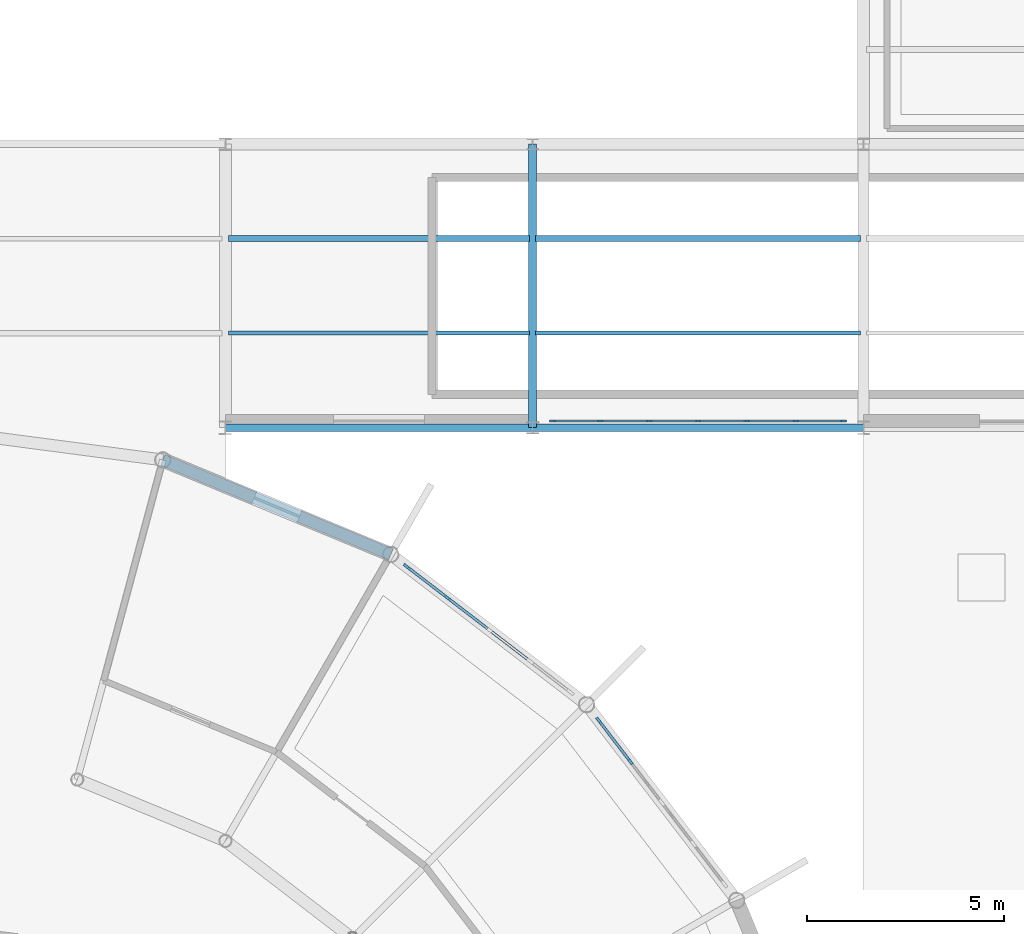
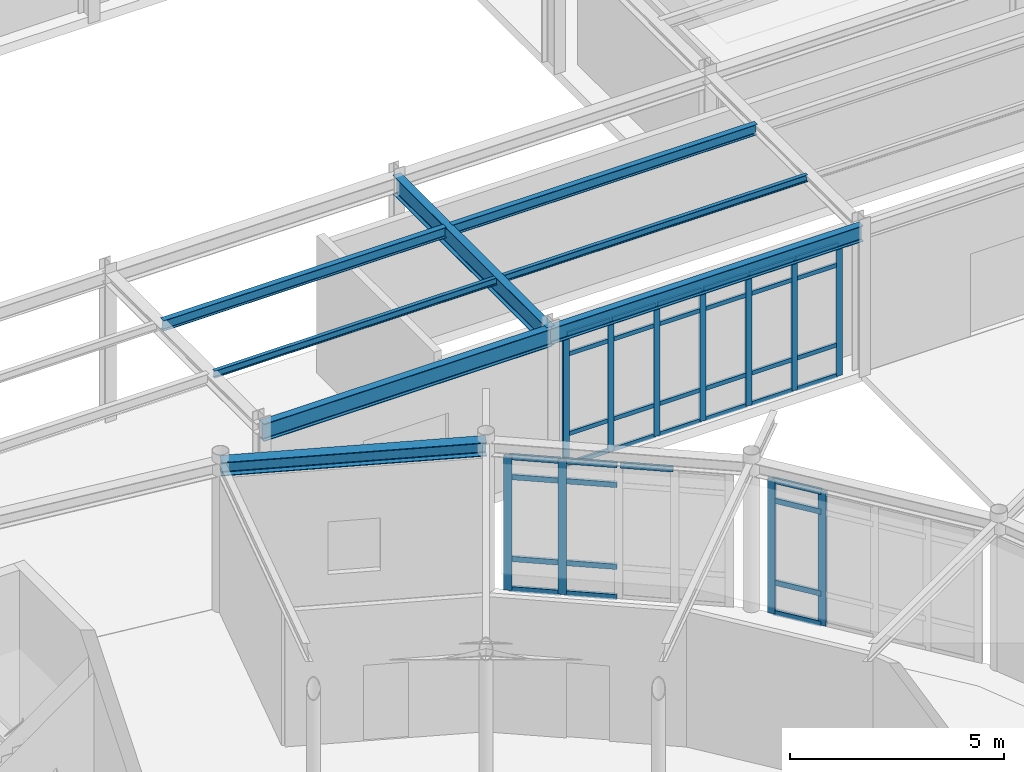
# One storey, part 47 of 101: 48 members, 8 beams, 3 elements without a shape of their own.
"""IFC4 building model written with IfcOpenShell, lengths in metres."""

from ifc_helpers import new_model, si_unit, derived_unit, direction, frame, origin, origin_2d, place, context, subcontext, project, spatial, rectangle, i_section, extrude, material, layer, layer_set, material_profile, profile_set, type_object, element, aggregate, save


model = new_model("IFC4")

# Units and contexts
model_context = context("Model", 3, precision=1e-05, world=origin(), true_north=direction((0.0, 1.0)))
body_context = subcontext(model_context, "Body", "Model", "MODEL_VIEW")
ifc_project = project(units=[si_unit("LENGTHUNIT", "METRE"), si_unit("AREAUNIT", "SQUARE_METRE"), si_unit("VOLUMEUNIT", "CUBIC_METRE"), si_unit("PLANEANGLEUNIT", "RADIAN"), si_unit("MASSUNIT", "GRAM", prefix="KILO"), derived_unit("THERMALTRANSMITTANCEUNIT", [(si_unit("POWERUNIT", "WATT"), 1), (si_unit("AREAUNIT", "SQUARE_METRE"), -1), (si_unit("THERMODYNAMICTEMPERATUREUNIT", "KELVIN"), -1)])], contexts=[model_context])

# Site, building, storey
site_placement = place(None, origin())
site = spatial("IfcSite", under=ifc_project, at=site_placement, CompositionType="ELEMENT")
building_placement = place(site_placement, origin())
building = spatial("IfcBuilding", under=site, at=building_placement, Name="Yasenodar Specialist Clinic", CompositionType="ELEMENT")
storey_placement = place(building_placement, origin())
storey = spatial("IfcBuildingStorey", under=building, at=storey_placement, Name="L00", CompositionType="ELEMENT", Elevation=0.0)

# Beams
ifc_material_1 = material(Name="Steel S355", Category="steel")
ifc_material_profile_1 = material_profile(ifc_material_1, i_section(OverallWidth=0.300048828125, OverallDepth=0.389892578125, WebThickness=0.010986328125, FlangeThickness=0.01904296875, FilletRadius=0.027099609375, at=origin_2d()), Name="HEA 400")
ifc_profile_set_1 = profile_set([ifc_material_profile_1], Name="Steel S355")
beam_type_1 = type_object("IfcBeamType", Name="BM-HEA400", PredefinedType="BEAM", material=ifc_profile_set_1)
beam_1_placement = place(storey_placement, frame((93.0, 79.584716796875, 4.054931640625), z_axis=(-0.9238876519, 0.382663829839, 0.0), x_axis=(-0.382663829839, -0.9238876519, 0.0)))
element("IfcBeam", 1, at=beam_1_placement, inside=storey, type_object=beam_type_1, Name="L00 Drum V1 Perimeter Ring Beam", PredefinedType="BEAM", context=body_context, shape_type="SweptSolid", body=[
    extrude(i_section(OverallWidth=0.300048828125, OverallDepth=0.389892578125, WebThickness=0.010986328125, FlangeThickness=0.01904296875, FilletRadius=0.027099609375, at=origin_2d()), origin(), (0.0, 0.0, 1.0), 6.26513671875),
])
ifc_material_profile_2 = material_profile(ifc_material_1, i_section(OverallWidth=0.18994140625, OverallDepth=0.449951171875, WebThickness=0.009521484375, FlangeThickness=0.0146484375, FilletRadius=0.02099609375, at=origin_2d()), Name="IPE 450")
ifc_profile_set_2 = profile_set([ifc_material_profile_2], Name="Steel S355")
beam_type_2 = type_object("IfcBeamType", Name="BM-IPE450", PredefinedType="BEAM", material=ifc_profile_set_2)
beam_2_placement = place(storey_placement, frame((96.60009765625, 82.800048828125, 4.02490234375), z_axis=(1.0, 0.0, 0.0), x_axis=(0.0, 1.0, 0.0)))
element("IfcBeam", 2, at=beam_2_placement, inside=storey, type_object=beam_type_2, Name="L00 Primary E-W Girder", PredefinedType="BEAM", context=body_context, shape_type="SweptSolid", body=[
    extrude(i_section(OverallWidth=0.18994140625, OverallDepth=0.449951171875, WebThickness=0.009521484375, FlangeThickness=0.0146484375, FilletRadius=0.02099609375, at=origin_2d()), origin(), (0.0, 0.0, 1.0), 8.39990234375),
])
ifc_material_profile_3 = material_profile(ifc_material_1, i_section(OverallWidth=0.199951171875, OverallDepth=0.5, WebThickness=0.01025390625, FlangeThickness=0.01611328125, FilletRadius=0.02099609375, at=origin_2d()), Name="IPE 500")
ifc_profile_set_3 = profile_set([ifc_material_profile_3], Name="Steel S355")
beam_type_3 = type_object("IfcBeamType", Name="BM-IPE500", PredefinedType="BEAM", material=ifc_profile_set_3)
beam_3_placement = place(storey_placement, frame((88.800048828125, 82.800048828125, 4.0), z_axis=(1.0, 0.0, 0.0), x_axis=(0.0, 1.0, 0.0)))
element("IfcBeam", 3, at=beam_3_placement, inside=storey, type_object=beam_type_3, Name="L00 Primary E-W Girder", PredefinedType="BEAM", context=body_context, shape_type="SweptSolid", body=[
    extrude(i_section(OverallWidth=0.199951171875, OverallDepth=0.5, WebThickness=0.01025390625, FlangeThickness=0.01611328125, FilletRadius=0.02099609375, at=origin_2d()), origin(), (0.0, 0.0, 1.0), 7.800048828125),
])
ifc_material_profile_4 = material_profile(ifc_material_1, i_section(OverallWidth=0.2099609375, OverallDepth=0.550048828125, WebThickness=0.010986328125, FlangeThickness=0.01708984375, FilletRadius=0.02392578125, at=origin_2d()), Name="IPE 550")
ifc_profile_set_4 = profile_set([ifc_material_profile_4], Name="Steel S355")
beam_type_4 = type_object("IfcBeamType", Name="BM-IPE550", PredefinedType="BEAM", material=ifc_profile_set_4)
beam_4_placement = place(storey_placement, frame((96.60009765625, 82.800048828125, 3.97509765625), z_axis=(0.0, 1.0, 0.0), x_axis=(-1.0, 0.0, 0.0)))
element("IfcBeam", 4, at=beam_4_placement, inside=storey, type_object=beam_type_4, Name="L00 Primary N-S Girder", PredefinedType="BEAM", context=body_context, shape_type="SweptSolid", body=[
    extrude(i_section(OverallWidth=0.2099609375, OverallDepth=0.550048828125, WebThickness=0.010986328125, FlangeThickness=0.01708984375, FilletRadius=0.02392578125, at=origin_2d()), origin(), (0.0, 0.0, 1.0), 7.199951171875),
])

# Curtain wall, members
ifc_material_2 = material(Name="Bronze Anodized Aluminium and Triple Low-E Glass", Category="aluminium")
ifc_layer_1 = layer(ifc_material_2, 0.215087890625)
ifc_layer_set_1 = layer_set([ifc_layer_1], Name="Bronze Anodized Aluminium and Triple Low-E Glass")
curtain_wall_type_1 = type_object("IfcCurtainWallType", Name="CW-SYS-05", PredefinedType="USERDEFINED", material=ifc_layer_set_1)
curtain_wall_1_placement = place(storey_placement, origin())
curtain_wall_1 = element("IfcCurtainWall", 5, at=curtain_wall_1_placement, inside=storey, type_object=curtain_wall_type_1, Name="L00 Unitised Curtain Wall 147", ObjectType="UNITISED CURTAIN WALL", PredefinedType="USERDEFINED")
ifc_material_3 = material(Name="Bronze Anodized Aluminium", Category="aluminium")
ifc_material_profile_5 = material_profile(ifc_material_3, rectangle(XDim=0.06005859375, YDim=0.159912109375, at=origin_2d()), Name="CW-MULL 60x160")
ifc_profile_set_5 = profile_set([ifc_material_profile_5], Name="Bronze Anodized Aluminium")
member_type_1 = type_object("IfcMemberType", Name="CW-MULL-160", PredefinedType="MULLION", material=ifc_profile_set_5)
member_1_placement = place(storey_placement, frame((104.489990234375, 82.969970703125, 0.0), z_axis=(0.0, 0.0, 1.0), x_axis=(0.0, -1.0, 0.0)))
member_1 = element("IfcMember", 6, at=member_1_placement, type_object=member_type_1, Name="CW-05 mullion 1", PredefinedType="MULLION", context=body_context, shape_type="SweptSolid", body=[
    extrude(rectangle(XDim=0.06005859375, YDim=0.159912109375, at=origin_2d()), origin(), (0.0, 0.0, 1.0), 3.778076171875),
])
member_2_placement = place(storey_placement, frame((103.280029296875, 82.969970703125, 0.0), z_axis=(0.0, 0.0, 1.0), x_axis=(0.0, -1.0, 0.0)))
member_2 = element("IfcMember", 7, at=member_2_placement, type_object=member_type_1, Name="CW-05 mullion 2", PredefinedType="MULLION", context=body_context, shape_type="SweptSolid", body=[
    extrude(rectangle(XDim=0.06005859375, YDim=0.159912109375, at=origin_2d()), origin(), (0.0, 0.0, 1.0), 3.778076171875),
])
member_3_placement = place(storey_placement, frame((102.0400390625, 82.969970703125, 0.0), z_axis=(0.0, 0.0, 1.0), x_axis=(0.0, -1.0, 0.0)))
member_3 = element("IfcMember", 8, at=member_3_placement, type_object=member_type_1, Name="CW-05 mullion 3", PredefinedType="MULLION", context=body_context, shape_type="SweptSolid", body=[
    extrude(rectangle(XDim=0.06005859375, YDim=0.159912109375, at=origin_2d()), origin(), (0.0, 0.0, 1.0), 3.778076171875),
])
member_4_placement = place(storey_placement, frame((100.800048828125, 82.969970703125, 0.0), z_axis=(0.0, 0.0, 1.0), x_axis=(0.0, -1.0, 0.0)))
member_4 = element("IfcMember", 9, at=member_4_placement, type_object=member_type_1, Name="CW-05 mullion 4", PredefinedType="MULLION", context=body_context, shape_type="SweptSolid", body=[
    extrude(rectangle(XDim=0.06005859375, YDim=0.159912109375, at=origin_2d()), origin(), (0.0, 0.0, 1.0), 3.778076171875),
])
member_5_placement = place(storey_placement, frame((99.56005859375, 82.969970703125, 0.0), z_axis=(0.0, 0.0, 1.0), x_axis=(0.0, -1.0, 0.0)))
member_5 = element("IfcMember", 10, at=member_5_placement, type_object=member_type_1, Name="CW-05 mullion 5", PredefinedType="MULLION", context=body_context, shape_type="SweptSolid", body=[
    extrude(rectangle(XDim=0.06005859375, YDim=0.159912109375, at=origin_2d()), origin(), (0.0, 0.0, 1.0), 3.778076171875),
])
member_6_placement = place(storey_placement, frame((98.320068359375, 82.969970703125, 0.0), z_axis=(0.0, 0.0, 1.0), x_axis=(0.0, -1.0, 0.0)))
member_6 = element("IfcMember", 11, at=member_6_placement, type_object=member_type_1, Name="CW-05 mullion 6", PredefinedType="MULLION", context=body_context, shape_type="SweptSolid", body=[
    extrude(rectangle(XDim=0.06005859375, YDim=0.159912109375, at=origin_2d()), origin(), (0.0, 0.0, 1.0), 3.778076171875),
])
member_7_placement = place(storey_placement, frame((97.110107421875, 82.969970703125, 0.0), z_axis=(0.0, 0.0, 1.0), x_axis=(0.0, -1.0, 0.0)))
member_7 = element("IfcMember", 12, at=member_7_placement, type_object=member_type_1, Name="CW-05 mullion 7", PredefinedType="MULLION", context=body_context, shape_type="SweptSolid", body=[
    extrude(rectangle(XDim=0.06005859375, YDim=0.159912109375, at=origin_2d()), origin(), (0.0, 0.0, 1.0), 3.778076171875),
])

ifc_layer_2 = layer(ifc_material_2, 0.1669921875)
ifc_layer_set_2 = layer_set([ifc_layer_2], Name="Bronze Anodized Aluminium and Triple Low-E Glass")
curtain_wall_type_2 = type_object("IfcCurtainWallType", Name="CW-SYS-01", PredefinedType="USERDEFINED", material=ifc_layer_set_2)
curtain_wall_2_placement = place(storey_placement, origin())
curtain_wall_2 = element("IfcCurtainWall", 13, at=curtain_wall_2_placement, inside=storey, type_object=curtain_wall_type_2, Name="L00 Unitised Curtain Wall 002", ObjectType="UNITISED CURTAIN WALL", PredefinedType="USERDEFINED")
ifc_material_profile_6 = material_profile(ifc_material_3, rectangle(XDim=0.070068359375, YDim=0.199951171875, at=origin_2d()), Name="CW-MULL 70x200")
ifc_profile_set_6 = profile_set([ifc_material_profile_6], Name="Bronze Anodized Aluminium")
member_type_2 = type_object("IfcMemberType", Name="CW-MULL-200", PredefinedType="MULLION", material=ifc_profile_set_6)
member_8_placement = place(storey_placement, frame((98.2841796875, 75.362060546875, 0.0), z_axis=(0.0, 0.0, 1.0), x_axis=(0.793360558574, 0.608752021844, 0.0)))
member_8 = element("IfcMember", 14, at=member_8_placement, type_object=member_type_2, Name="CW-01 mullion 1", PredefinedType="MULLION", context=body_context, shape_type="SweptSolid", body=[
    extrude(rectangle(XDim=0.070068359375, YDim=0.199951171875, at=origin_2d()), origin(), (0.0, 0.0, 1.0), 3.837890625),
])
member_9_placement = place(storey_placement, frame((99.0703125, 74.337646484375, 0.0), z_axis=(0.0, 0.0, 1.0), x_axis=(0.793360558574, 0.608752021844, 0.0)))
member_9 = element("IfcMember", 15, at=member_9_placement, type_object=member_type_2, Name="CW-01 mullion 2", PredefinedType="MULLION", context=body_context, shape_type="SweptSolid", body=[
    extrude(rectangle(XDim=0.070068359375, YDim=0.199951171875, at=origin_2d()), origin(), (0.0, 0.0, 1.0), 3.837890625),
])

curtain_wall_3_placement = place(storey_placement, origin())
curtain_wall_3 = element("IfcCurtainWall", 16, at=curtain_wall_3_placement, inside=storey, type_object=curtain_wall_type_2, Name="L00 Unitised Curtain Wall 003", ObjectType="UNITISED CURTAIN WALL", PredefinedType="USERDEFINED")
member_10_placement = place(storey_placement, frame((93.408447265625, 79.27099609375, 0.0), z_axis=(0.0, 0.0, 1.0), x_axis=(0.608752021844, 0.793360558574, 0.0)))
member_10 = element("IfcMember", 17, at=member_10_placement, type_object=member_type_2, Name="CW-01 mullion 1", PredefinedType="MULLION", context=body_context, shape_type="SweptSolid", body=[
    extrude(rectangle(XDim=0.070068359375, YDim=0.199951171875, at=origin_2d()), origin(), (0.0, 0.0, 1.0), 3.837890625),
])
member_11_placement = place(storey_placement, frame((94.43310546875, 78.485107421875, 0.0), z_axis=(0.0, 0.0, 1.0), x_axis=(0.608752021844, 0.793360558574, 0.0)))
member_11 = element("IfcMember", 18, at=member_11_placement, type_object=member_type_2, Name="CW-01 mullion 2", PredefinedType="MULLION", context=body_context, shape_type="SweptSolid", body=[
    extrude(rectangle(XDim=0.070068359375, YDim=0.199951171875, at=origin_2d()), origin(), (0.0, 0.0, 1.0), 3.837890625),
])

# Member
ifc_material_profile_7 = material_profile(ifc_material_3, rectangle(XDim=0.06005859375, YDim=0.1201171875, at=origin_2d()), Name="CW-TRAN 60x120")
ifc_profile_set_7 = profile_set([ifc_material_profile_7], Name="Bronze Anodized Aluminium")
member_type_3 = type_object("IfcMemberType", Name="CW-TRAN-120", PredefinedType="USERDEFINED", material=ifc_profile_set_7)
member_12_placement = place(storey_placement, frame((104.4599609375, 82.969970703125, 0.030029296875), z_axis=(-1.0, 0.0, 0.0), x_axis=(0.0, -1.0, 0.0)))
member_12 = element("IfcMember", 19, at=member_12_placement, type_object=member_type_3, Name="CW-05 transom 1.1", ObjectType="TRANSOM", PredefinedType="USERDEFINED", context=body_context, shape_type="SweptSolid", body=[
    extrude(rectangle(XDim=0.06005859375, YDim=0.1201171875, at=origin_2d()), origin(), (0.0, 0.0, 1.0), 1.14990234375),
])

member_13_placement = place(storey_placement, frame((104.4599609375, 82.969970703125, 0.89990234375), z_axis=(-1.0, 0.0, 0.0), x_axis=(0.0, -1.0, 0.0)))
member_13 = element("IfcMember", 20, at=member_13_placement, type_object=member_type_3, Name="CW-05 transom 1.2", ObjectType="TRANSOM", PredefinedType="USERDEFINED", context=body_context, shape_type="SweptSolid", body=[
    extrude(rectangle(XDim=0.06005859375, YDim=0.1201171875, at=origin_2d()), origin(), (0.0, 0.0, 1.0), 1.14990234375),
])

member_14_placement = place(storey_placement, frame((104.4599609375, 82.969970703125, 3.177978515625), z_axis=(-1.0, 0.0, 0.0), x_axis=(0.0, -1.0, 0.0)))
member_14 = element("IfcMember", 21, at=member_14_placement, type_object=member_type_3, Name="CW-05 transom 1.3", ObjectType="TRANSOM", PredefinedType="USERDEFINED", context=body_context, shape_type="SweptSolid", body=[
    extrude(rectangle(XDim=0.06005859375, YDim=0.1201171875, at=origin_2d()), origin(), (0.0, 0.0, 1.0), 1.14990234375),
])

member_15_placement = place(storey_placement, frame((104.4599609375, 82.969970703125, 3.748046875), z_axis=(-1.0, 0.0, 0.0), x_axis=(0.0, -1.0, 0.0)))
member_15 = element("IfcMember", 22, at=member_15_placement, type_object=member_type_3, Name="CW-05 transom 1.4", ObjectType="TRANSOM", PredefinedType="USERDEFINED", context=body_context, shape_type="SweptSolid", body=[
    extrude(rectangle(XDim=0.06005859375, YDim=0.1201171875, at=origin_2d()), origin(), (0.0, 0.0, 1.0), 1.14990234375),
])

member_16_placement = place(storey_placement, frame((103.25, 82.969970703125, 0.030029296875), z_axis=(-1.0, 0.0, 0.0), x_axis=(0.0, -1.0, 0.0)))
member_16 = element("IfcMember", 23, at=member_16_placement, type_object=member_type_3, Name="CW-05 transom 2.1", ObjectType="TRANSOM", PredefinedType="USERDEFINED", context=body_context, shape_type="SweptSolid", body=[
    extrude(rectangle(XDim=0.06005859375, YDim=0.1201171875, at=origin_2d()), origin(), (0.0, 0.0, 1.0), 1.179931640625),
])

member_17_placement = place(storey_placement, frame((103.25, 82.969970703125, 0.89990234375), z_axis=(-1.0, 0.0, 0.0), x_axis=(0.0, -1.0, 0.0)))
member_17 = element("IfcMember", 24, at=member_17_placement, type_object=member_type_3, Name="CW-05 transom 2.2", ObjectType="TRANSOM", PredefinedType="USERDEFINED", context=body_context, shape_type="SweptSolid", body=[
    extrude(rectangle(XDim=0.06005859375, YDim=0.1201171875, at=origin_2d()), origin(), (0.0, 0.0, 1.0), 1.179931640625),
])

member_18_placement = place(storey_placement, frame((103.25, 82.969970703125, 3.177978515625), z_axis=(-1.0, 0.0, 0.0), x_axis=(0.0, -1.0, 0.0)))
member_18 = element("IfcMember", 25, at=member_18_placement, type_object=member_type_3, Name="CW-05 transom 2.3", ObjectType="TRANSOM", PredefinedType="USERDEFINED", context=body_context, shape_type="SweptSolid", body=[
    extrude(rectangle(XDim=0.06005859375, YDim=0.1201171875, at=origin_2d()), origin(), (0.0, 0.0, 1.0), 1.179931640625),
])

member_19_placement = place(storey_placement, frame((103.25, 82.969970703125, 3.748046875), z_axis=(-1.0, 0.0, 0.0), x_axis=(0.0, -1.0, 0.0)))
member_19 = element("IfcMember", 26, at=member_19_placement, type_object=member_type_3, Name="CW-05 transom 2.4", ObjectType="TRANSOM", PredefinedType="USERDEFINED", context=body_context, shape_type="SweptSolid", body=[
    extrude(rectangle(XDim=0.06005859375, YDim=0.1201171875, at=origin_2d()), origin(), (0.0, 0.0, 1.0), 1.179931640625),
])

member_20_placement = place(storey_placement, frame((102.010009765625, 82.969970703125, 0.030029296875), z_axis=(-1.0, 0.0, 0.0), x_axis=(0.0, -1.0, 0.0)))
member_20 = element("IfcMember", 27, at=member_20_placement, type_object=member_type_3, Name="CW-05 transom 3.1", ObjectType="TRANSOM", PredefinedType="USERDEFINED", context=body_context, shape_type="SweptSolid", body=[
    extrude(rectangle(XDim=0.06005859375, YDim=0.1201171875, at=origin_2d()), origin(), (0.0, 0.0, 1.0), 1.179931640625),
])

member_21_placement = place(storey_placement, frame((102.010009765625, 82.969970703125, 0.89990234375), z_axis=(-1.0, 0.0, 0.0), x_axis=(0.0, -1.0, 0.0)))
member_21 = element("IfcMember", 28, at=member_21_placement, type_object=member_type_3, Name="CW-05 transom 3.2", ObjectType="TRANSOM", PredefinedType="USERDEFINED", context=body_context, shape_type="SweptSolid", body=[
    extrude(rectangle(XDim=0.06005859375, YDim=0.1201171875, at=origin_2d()), origin(), (0.0, 0.0, 1.0), 1.179931640625),
])

member_22_placement = place(storey_placement, frame((102.010009765625, 82.969970703125, 3.177978515625), z_axis=(-1.0, 0.0, 0.0), x_axis=(0.0, -1.0, 0.0)))
member_22 = element("IfcMember", 29, at=member_22_placement, type_object=member_type_3, Name="CW-05 transom 3.3", ObjectType="TRANSOM", PredefinedType="USERDEFINED", context=body_context, shape_type="SweptSolid", body=[
    extrude(rectangle(XDim=0.06005859375, YDim=0.1201171875, at=origin_2d()), origin(), (0.0, 0.0, 1.0), 1.179931640625),
])

member_23_placement = place(storey_placement, frame((102.010009765625, 82.969970703125, 3.748046875), z_axis=(-1.0, 0.0, 0.0), x_axis=(0.0, -1.0, 0.0)))
member_23 = element("IfcMember", 30, at=member_23_placement, type_object=member_type_3, Name="CW-05 transom 3.4", ObjectType="TRANSOM", PredefinedType="USERDEFINED", context=body_context, shape_type="SweptSolid", body=[
    extrude(rectangle(XDim=0.06005859375, YDim=0.1201171875, at=origin_2d()), origin(), (0.0, 0.0, 1.0), 1.179931640625),
])

member_24_placement = place(storey_placement, frame((100.77001953125, 82.969970703125, 0.030029296875), z_axis=(-1.0, 0.0, 0.0), x_axis=(0.0, -1.0, 0.0)))
member_24 = element("IfcMember", 31, at=member_24_placement, type_object=member_type_3, Name="CW-05 transom 4.1", ObjectType="TRANSOM", PredefinedType="USERDEFINED", context=body_context, shape_type="SweptSolid", body=[
    extrude(rectangle(XDim=0.06005859375, YDim=0.1201171875, at=origin_2d()), origin(), (0.0, 0.0, 1.0), 1.179931640625),
])

member_25_placement = place(storey_placement, frame((100.77001953125, 82.969970703125, 0.89990234375), z_axis=(-1.0, 0.0, 0.0), x_axis=(0.0, -1.0, 0.0)))
member_25 = element("IfcMember", 32, at=member_25_placement, type_object=member_type_3, Name="CW-05 transom 4.2", ObjectType="TRANSOM", PredefinedType="USERDEFINED", context=body_context, shape_type="SweptSolid", body=[
    extrude(rectangle(XDim=0.06005859375, YDim=0.1201171875, at=origin_2d()), origin(), (0.0, 0.0, 1.0), 1.179931640625),
])

member_26_placement = place(storey_placement, frame((100.77001953125, 82.969970703125, 3.177978515625), z_axis=(-1.0, 0.0, 0.0), x_axis=(0.0, -1.0, 0.0)))
member_26 = element("IfcMember", 33, at=member_26_placement, type_object=member_type_3, Name="CW-05 transom 4.3", ObjectType="TRANSOM", PredefinedType="USERDEFINED", context=body_context, shape_type="SweptSolid", body=[
    extrude(rectangle(XDim=0.06005859375, YDim=0.1201171875, at=origin_2d()), origin(), (0.0, 0.0, 1.0), 1.179931640625),
])

member_27_placement = place(storey_placement, frame((100.77001953125, 82.969970703125, 3.748046875), z_axis=(-1.0, 0.0, 0.0), x_axis=(0.0, -1.0, 0.0)))
member_27 = element("IfcMember", 34, at=member_27_placement, type_object=member_type_3, Name="CW-05 transom 4.4", ObjectType="TRANSOM", PredefinedType="USERDEFINED", context=body_context, shape_type="SweptSolid", body=[
    extrude(rectangle(XDim=0.06005859375, YDim=0.1201171875, at=origin_2d()), origin(), (0.0, 0.0, 1.0), 1.179931640625),
])

member_28_placement = place(storey_placement, frame((99.530029296875, 82.969970703125, 0.030029296875), z_axis=(-1.0, 0.0, 0.0), x_axis=(0.0, -1.0, 0.0)))
member_28 = element("IfcMember", 35, at=member_28_placement, type_object=member_type_3, Name="CW-05 transom 5.1", ObjectType="TRANSOM", PredefinedType="USERDEFINED", context=body_context, shape_type="SweptSolid", body=[
    extrude(rectangle(XDim=0.06005859375, YDim=0.1201171875, at=origin_2d()), origin(), (0.0, 0.0, 1.0), 1.179931640625),
])

member_29_placement = place(storey_placement, frame((99.530029296875, 82.969970703125, 0.89990234375), z_axis=(-1.0, 0.0, 0.0), x_axis=(0.0, -1.0, 0.0)))
member_29 = element("IfcMember", 36, at=member_29_placement, type_object=member_type_3, Name="CW-05 transom 5.2", ObjectType="TRANSOM", PredefinedType="USERDEFINED", context=body_context, shape_type="SweptSolid", body=[
    extrude(rectangle(XDim=0.06005859375, YDim=0.1201171875, at=origin_2d()), origin(), (0.0, 0.0, 1.0), 1.179931640625),
])

member_30_placement = place(storey_placement, frame((99.530029296875, 82.969970703125, 3.177978515625), z_axis=(-1.0, 0.0, 0.0), x_axis=(0.0, -1.0, 0.0)))
member_30 = element("IfcMember", 37, at=member_30_placement, type_object=member_type_3, Name="CW-05 transom 5.3", ObjectType="TRANSOM", PredefinedType="USERDEFINED", context=body_context, shape_type="SweptSolid", body=[
    extrude(rectangle(XDim=0.06005859375, YDim=0.1201171875, at=origin_2d()), origin(), (0.0, 0.0, 1.0), 1.179931640625),
])

member_31_placement = place(storey_placement, frame((99.530029296875, 82.969970703125, 3.748046875), z_axis=(-1.0, 0.0, 0.0), x_axis=(0.0, -1.0, 0.0)))
member_31 = element("IfcMember", 38, at=member_31_placement, type_object=member_type_3, Name="CW-05 transom 5.4", ObjectType="TRANSOM", PredefinedType="USERDEFINED", context=body_context, shape_type="SweptSolid", body=[
    extrude(rectangle(XDim=0.06005859375, YDim=0.1201171875, at=origin_2d()), origin(), (0.0, 0.0, 1.0), 1.179931640625),
])

member_32_placement = place(storey_placement, frame((98.2900390625, 82.969970703125, 0.030029296875), z_axis=(-1.0, 0.0, 0.0), x_axis=(0.0, -1.0, 0.0)))
member_32 = element("IfcMember", 39, at=member_32_placement, type_object=member_type_3, Name="CW-05 transom 6.1", ObjectType="TRANSOM", PredefinedType="USERDEFINED", context=body_context, shape_type="SweptSolid", body=[
    extrude(rectangle(XDim=0.06005859375, YDim=0.1201171875, at=origin_2d()), origin(), (0.0, 0.0, 1.0), 1.150146484375),
])

member_33_placement = place(storey_placement, frame((98.2900390625, 82.969970703125, 0.89990234375), z_axis=(-1.0, 0.0, 0.0), x_axis=(0.0, -1.0, 0.0)))
member_33 = element("IfcMember", 40, at=member_33_placement, type_object=member_type_3, Name="CW-05 transom 6.2", ObjectType="TRANSOM", PredefinedType="USERDEFINED", context=body_context, shape_type="SweptSolid", body=[
    extrude(rectangle(XDim=0.06005859375, YDim=0.1201171875, at=origin_2d()), origin(), (0.0, 0.0, 1.0), 1.150146484375),
])

member_34_placement = place(storey_placement, frame((98.2900390625, 82.969970703125, 3.177978515625), z_axis=(-1.0, 0.0, 0.0), x_axis=(0.0, -1.0, 0.0)))
member_34 = element("IfcMember", 41, at=member_34_placement, type_object=member_type_3, Name="CW-05 transom 6.3", ObjectType="TRANSOM", PredefinedType="USERDEFINED", context=body_context, shape_type="SweptSolid", body=[
    extrude(rectangle(XDim=0.06005859375, YDim=0.1201171875, at=origin_2d()), origin(), (0.0, 0.0, 1.0), 1.150146484375),
])

member_35_placement = place(storey_placement, frame((98.2900390625, 82.969970703125, 3.748046875), z_axis=(-1.0, 0.0, 0.0), x_axis=(0.0, -1.0, 0.0)))
member_35 = element("IfcMember", 42, at=member_35_placement, type_object=member_type_3, Name="CW-05 transom 6.4", ObjectType="TRANSOM", PredefinedType="USERDEFINED", context=body_context, shape_type="SweptSolid", body=[
    extrude(rectangle(XDim=0.06005859375, YDim=0.1201171875, at=origin_2d()), origin(), (0.0, 0.0, 1.0), 1.150146484375),
])

aggregate(curtain_wall_1, [member_1, member_2, member_3, member_4, member_5, member_6, member_7, member_12, member_13, member_14, member_15, member_16, member_17, member_18, member_19, member_20, member_21, member_22, member_23, member_24, member_25, member_26, member_27, member_28, member_29, member_30, member_31, member_32, member_33, member_34, member_35])

ifc_material_profile_8 = material_profile(ifc_material_3, rectangle(XDim=0.070068359375, YDim=0.14990234375, at=origin_2d()), Name="CW-TRAN 70x150")
ifc_profile_set_8 = profile_set([ifc_material_profile_8], Name="Bronze Anodized Aluminium")
member_type_4 = type_object("IfcMemberType", Name="CW-TRAN-150", PredefinedType="USERDEFINED", material=ifc_profile_set_8)
member_36_placement = place(storey_placement, frame((98.305419921875, 75.334228515625, 0.034912109375), z_axis=(0.608695898449, -0.793403619358, 0.0), x_axis=(0.793403619358, 0.608695898449, 0.0)))
member_36 = element("IfcMember", 43, at=member_36_placement, type_object=member_type_4, Name="CW-01 transom 1.1", ObjectType="TRANSOM", PredefinedType="USERDEFINED", context=body_context, shape_type="SweptSolid", body=[
    extrude(rectangle(XDim=0.070068359375, YDim=0.14990234375, at=origin_2d()), origin(), (0.0, 0.0, 1.0), 1.22119140625),
])

member_37_placement = place(storey_placement, frame((98.305419921875, 75.334228515625, 0.89990234375), z_axis=(0.608695898449, -0.793403619358, 0.0), x_axis=(0.793403619358, 0.608695898449, 0.0)))
member_37 = element("IfcMember", 44, at=member_37_placement, type_object=member_type_4, Name="CW-01 transom 1.2", ObjectType="TRANSOM", PredefinedType="USERDEFINED", context=body_context, shape_type="SweptSolid", body=[
    extrude(rectangle(XDim=0.070068359375, YDim=0.14990234375, at=origin_2d()), origin(), (0.0, 0.0, 1.0), 1.22119140625),
])

member_38_placement = place(storey_placement, frame((98.305419921875, 75.334228515625, 3.238037109375), z_axis=(0.608695898449, -0.793403619358, 0.0), x_axis=(0.793403619358, 0.608695898449, 0.0)))
member_38 = element("IfcMember", 45, at=member_38_placement, type_object=member_type_4, Name="CW-01 transom 1.3", ObjectType="TRANSOM", PredefinedType="USERDEFINED", context=body_context, shape_type="SweptSolid", body=[
    extrude(rectangle(XDim=0.070068359375, YDim=0.14990234375, at=origin_2d()), origin(), (0.0, 0.0, 1.0), 1.22119140625),
])

member_39_placement = place(storey_placement, frame((98.305419921875, 75.334228515625, 3.802978515625), z_axis=(0.608695898449, -0.793403619358, 0.0), x_axis=(0.793403619358, 0.608695898449, 0.0)))
member_39 = element("IfcMember", 46, at=member_39_placement, type_object=member_type_4, Name="CW-01 transom 1.4", ObjectType="TRANSOM", PredefinedType="USERDEFINED", context=body_context, shape_type="SweptSolid", body=[
    extrude(rectangle(XDim=0.070068359375, YDim=0.14990234375, at=origin_2d()), origin(), (0.0, 0.0, 1.0), 1.22119140625),
])

aggregate(curtain_wall_2, [member_8, member_9, member_36, member_37, member_38, member_39])

member_40_placement = place(storey_placement, frame((93.436279296875, 79.249755859375, 0.034912109375), z_axis=(0.793403619358, -0.608695898449, 0.0), x_axis=(0.608695898449, 0.793403619358, 0.0)))
member_40 = element("IfcMember", 47, at=member_40_placement, type_object=member_type_4, Name="CW-01 transom 1.1", ObjectType="TRANSOM", PredefinedType="USERDEFINED", context=body_context, shape_type="SweptSolid", body=[
    extrude(rectangle(XDim=0.070068359375, YDim=0.14990234375, at=origin_2d()), origin(), (0.0, 0.0, 1.0), 1.22119140625),
])

member_41_placement = place(storey_placement, frame((93.436279296875, 79.249755859375, 0.89990234375), z_axis=(0.793403619358, -0.608695898449, 0.0), x_axis=(0.608695898449, 0.793403619358, 0.0)))
member_41 = element("IfcMember", 48, at=member_41_placement, type_object=member_type_4, Name="CW-01 transom 1.2", ObjectType="TRANSOM", PredefinedType="USERDEFINED", context=body_context, shape_type="SweptSolid", body=[
    extrude(rectangle(XDim=0.070068359375, YDim=0.14990234375, at=origin_2d()), origin(), (0.0, 0.0, 1.0), 1.22119140625),
])

member_42_placement = place(storey_placement, frame((93.436279296875, 79.249755859375, 3.238037109375), z_axis=(0.793403619358, -0.608695898449, 0.0), x_axis=(0.608695898449, 0.793403619358, 0.0)))
member_42 = element("IfcMember", 49, at=member_42_placement, type_object=member_type_4, Name="CW-01 transom 1.3", ObjectType="TRANSOM", PredefinedType="USERDEFINED", context=body_context, shape_type="SweptSolid", body=[
    extrude(rectangle(XDim=0.070068359375, YDim=0.14990234375, at=origin_2d()), origin(), (0.0, 0.0, 1.0), 1.22119140625),
])

member_43_placement = place(storey_placement, frame((93.436279296875, 79.249755859375, 3.802978515625), z_axis=(0.793403619358, -0.608695898449, 0.0), x_axis=(0.608695898449, 0.793403619358, 0.0)))
member_43 = element("IfcMember", 50, at=member_43_placement, type_object=member_type_4, Name="CW-01 transom 1.4", ObjectType="TRANSOM", PredefinedType="USERDEFINED", context=body_context, shape_type="SweptSolid", body=[
    extrude(rectangle(XDim=0.070068359375, YDim=0.14990234375, at=origin_2d()), origin(), (0.0, 0.0, 1.0), 1.22119140625),
])

member_44_placement = place(storey_placement, frame((94.4609375, 78.463623046875, 0.034912109375), z_axis=(0.793374813585, -0.608733443446, 0.0), x_axis=(0.608733443446, 0.793374813585, 0.0)))
member_44 = element("IfcMember", 51, at=member_44_placement, type_object=member_type_4, Name="CW-01 transom 2.1", ObjectType="TRANSOM", PredefinedType="USERDEFINED", context=body_context, shape_type="SweptSolid", body=[
    extrude(rectangle(XDim=0.070068359375, YDim=0.14990234375, at=origin_2d()), origin(), (0.0, 0.0, 1.0), 1.256103515625),
])

member_45_placement = place(storey_placement, frame((94.4609375, 78.463623046875, 0.89990234375), z_axis=(0.793374813585, -0.608733443446, 0.0), x_axis=(0.608733443446, 0.793374813585, 0.0)))
member_45 = element("IfcMember", 52, at=member_45_placement, type_object=member_type_4, Name="CW-01 transom 2.2", ObjectType="TRANSOM", PredefinedType="USERDEFINED", context=body_context, shape_type="SweptSolid", body=[
    extrude(rectangle(XDim=0.070068359375, YDim=0.14990234375, at=origin_2d()), origin(), (0.0, 0.0, 1.0), 1.256103515625),
])

member_46_placement = place(storey_placement, frame((94.4609375, 78.463623046875, 3.238037109375), z_axis=(0.793374813585, -0.608733443446, 0.0), x_axis=(0.608733443446, 0.793374813585, 0.0)))
member_46 = element("IfcMember", 53, at=member_46_placement, type_object=member_type_4, Name="CW-01 transom 2.3", ObjectType="TRANSOM", PredefinedType="USERDEFINED", context=body_context, shape_type="SweptSolid", body=[
    extrude(rectangle(XDim=0.070068359375, YDim=0.14990234375, at=origin_2d()), origin(), (0.0, 0.0, 1.0), 1.256103515625),
])

member_47_placement = place(storey_placement, frame((94.4609375, 78.463623046875, 3.802978515625), z_axis=(0.793374813585, -0.608733443446, 0.0), x_axis=(0.608733443446, 0.793374813585, 0.0)))
member_47 = element("IfcMember", 54, at=member_47_placement, type_object=member_type_4, Name="CW-01 transom 2.4", ObjectType="TRANSOM", PredefinedType="USERDEFINED", context=body_context, shape_type="SweptSolid", body=[
    extrude(rectangle(XDim=0.070068359375, YDim=0.14990234375, at=origin_2d()), origin(), (0.0, 0.0, 1.0), 1.256103515625),
])

member_48_placement = place(storey_placement, frame((95.51318359375, 77.65625, 3.802978515625), z_axis=(0.793374813585, -0.608733443446, 0.0), x_axis=(0.608733443446, 0.793374813585, 0.0)))
member_48 = element("IfcMember", 55, at=member_48_placement, type_object=member_type_4, Name="CW-01 transom 3.4", ObjectType="TRANSOM", PredefinedType="USERDEFINED", context=body_context, shape_type="SweptSolid", body=[
    extrude(rectangle(XDim=0.070068359375, YDim=0.14990234375, at=origin_2d()), origin(), (0.0, 0.0, 1.0), 1.256103515625),
])

aggregate(curtain_wall_3, [member_10, member_11, member_40, member_41, member_42, member_43, member_44, member_45, member_46, member_47, member_48])

# Beams
ifc_material_profile_9 = material_profile(ifc_material_1, i_section(OverallWidth=0.10009765625, OverallDepth=0.199951171875, WebThickness=0.005615234375, FlangeThickness=0.008544921875, FilletRadius=0.011962890625, at=origin_2d()), Name="IPE 200")
ifc_profile_set_9 = profile_set([ifc_material_profile_9], Name="Steel S355")
beam_type_5 = type_object("IfcBeamType", Name="JS-IPE200", PredefinedType="JOIST", material=ifc_profile_set_9)
beam_5_placement = place(storey_placement, frame((88.8798828125, 85.199951171875, 4.14990234375), z_axis=(1.0, 0.0, 0.0), x_axis=(0.0, 1.0, 0.0)))
element("IfcBeam", 56, at=beam_5_placement, inside=storey, type_object=beam_type_5, Name="L00 Composite Floor Joist", PredefinedType="JOIST", context=body_context, shape_type="SweptSolid", body=[
    extrude(i_section(OverallWidth=0.10009765625, OverallDepth=0.199951171875, WebThickness=0.005615234375, FlangeThickness=0.008544921875, FilletRadius=0.011962890625, at=origin_2d()), origin(), (0.0, 0.0, 1.0), 7.64013671875),
])
beam_6_placement = place(storey_placement, frame((96.679931640625, 85.199951171875, 4.14990234375), z_axis=(1.0, 0.0, 0.0), x_axis=(0.0, 1.0, 0.0)))
element("IfcBeam", 57, at=beam_6_placement, inside=storey, type_object=beam_type_5, Name="L00 Composite Floor Joist", PredefinedType="JOIST", context=body_context, shape_type="SweptSolid", body=[
    extrude(i_section(OverallWidth=0.10009765625, OverallDepth=0.199951171875, WebThickness=0.005615234375, FlangeThickness=0.008544921875, FilletRadius=0.011962890625, at=origin_2d()), origin(), (0.0, 0.0, 1.0), 8.239990234375),
])
ifc_material_profile_10 = material_profile(ifc_material_1, i_section(OverallWidth=0.14990234375, OverallDepth=0.300048828125, WebThickness=0.007080078125, FlangeThickness=0.0107421875, FilletRadius=0.014892578125, at=origin_2d()), Name="IPE 300")
ifc_profile_set_10 = profile_set([ifc_material_profile_10], Name="Steel S355")
beam_type_6 = type_object("IfcBeamType", Name="JS-IPE300", PredefinedType="JOIST", material=ifc_profile_set_10)
beam_7_placement = place(storey_placement, frame((88.8798828125, 87.60009765625, 4.10009765625), z_axis=(1.0, 0.0, 0.0), x_axis=(0.0, 1.0, 0.0)))
element("IfcBeam", 58, at=beam_7_placement, inside=storey, type_object=beam_type_6, Name="L00 Composite Floor Joist", PredefinedType="JOIST", context=body_context, shape_type="SweptSolid", body=[
    extrude(i_section(OverallWidth=0.14990234375, OverallDepth=0.300048828125, WebThickness=0.007080078125, FlangeThickness=0.0107421875, FilletRadius=0.014892578125, at=origin_2d()), origin(), (0.0, 0.0, 1.0), 7.64013671875),
])
beam_8_placement = place(storey_placement, frame((96.679931640625, 87.60009765625, 4.10009765625), z_axis=(1.0, 0.0, 0.0), x_axis=(0.0, 1.0, 0.0)))
element("IfcBeam", 59, at=beam_8_placement, inside=storey, type_object=beam_type_6, Name="L00 Composite Floor Joist", PredefinedType="JOIST", context=body_context, shape_type="SweptSolid", body=[
    extrude(i_section(OverallWidth=0.14990234375, OverallDepth=0.300048828125, WebThickness=0.007080078125, FlangeThickness=0.0107421875, FilletRadius=0.014892578125, at=origin_2d()), origin(), (0.0, 0.0, 1.0), 8.239990234375),
])

save(model, "model.ifc")
